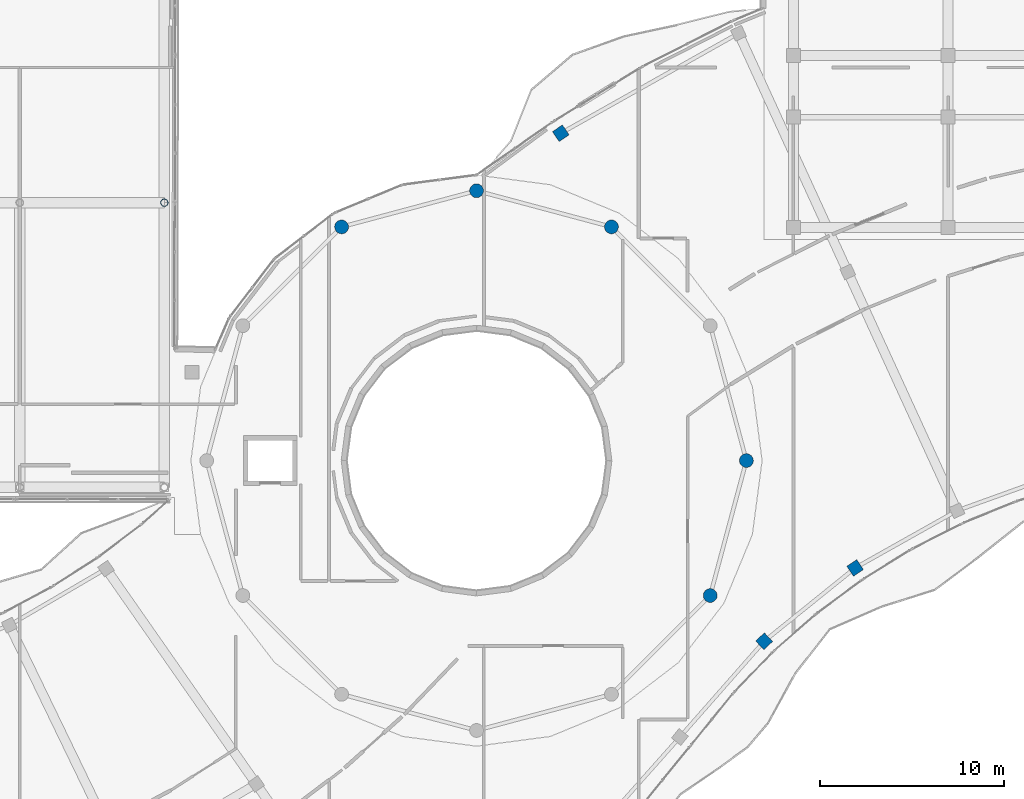
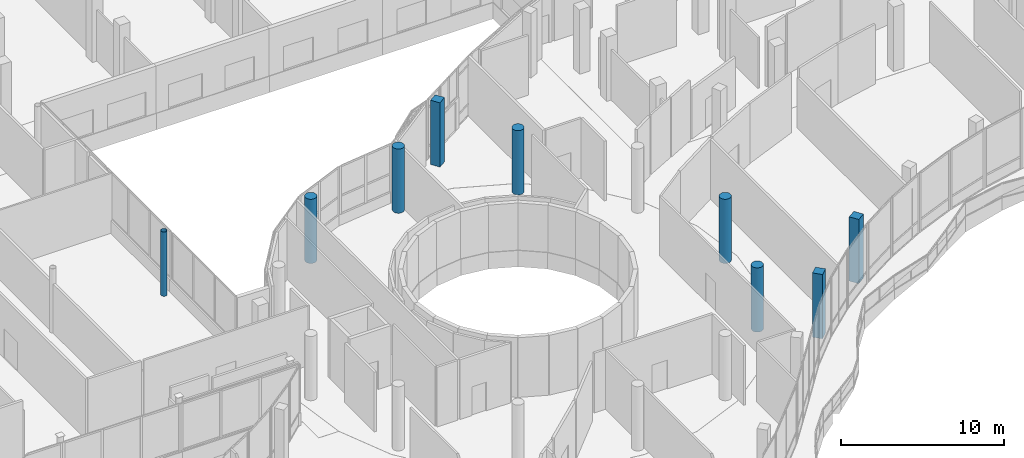
# One storey, part 5 of 155: 9 columns.
"""IFC4 building model written with IfcOpenShell, lengths in metres."""

from ifc_helpers import new_model, si_unit, direction, frame, origin, origin_2d, place, context, subcontext, project, spatial, rectangle, circle, hollow_circle, extrude, material, material_profile, profile_set, type_object, element, save


model = new_model("IFC4")

# Units and contexts
model_context = context("Model", 3, precision=1e-05, world=origin(), true_north=direction((0.0, 1.0)))
body_context = subcontext(model_context, "Body", "Model", "MODEL_VIEW")
ifc_project = project(units=[si_unit("LENGTHUNIT", "METRE"), si_unit("AREAUNIT", "SQUARE_METRE"), si_unit("VOLUMEUNIT", "CUBIC_METRE"), si_unit("PLANEANGLEUNIT", "RADIAN"), si_unit("MASSUNIT", "GRAM", prefix="KILO")], contexts=[model_context])

# Site, building, storey
site_placement = place(None, origin())
site = spatial("IfcSite", under=ifc_project, at=site_placement, CompositionType="ELEMENT")
building_placement = place(site_placement, origin())
building = spatial("IfcBuilding", under=site, at=building_placement, Name="Selatvlak General Hospital", CompositionType="ELEMENT")
storey_placement = place(building_placement, frame((0.0, 0.0, 10.199951171875)))
storey = spatial("IfcBuildingStorey", under=building, at=storey_placement, Name="L02", CompositionType="ELEMENT", Elevation=10.199951171875)

# Columns
ifc_material_1 = material(Name="Steel S355", Category="steel")
ifc_material_profile_1 = material_profile(ifc_material_1, hollow_circle(Radius=0.203125, WallThickness=0.01611328125, at=origin_2d()), Name="CHS 406.4x16")
ifc_profile_set_1 = profile_set([ifc_material_profile_1], Name="Steel S355")
column_type_1 = type_object("IfcColumnType", Name="COL-CHS406", PredefinedType="COLUMN", material=ifc_profile_set_1)
column_placement = place(storey_placement, frame((81.050048828125, 68.0, 0.0), z_axis=(0.0, 0.0, 1.0), x_axis=(1.0, 0.0, 0.0)))
element("IfcColumn", 1, at=column_placement, inside=storey, type_object=column_type_1, Name="Column 023 on L02", PredefinedType="COLUMN", context=body_context, shape_type="SweptSolid", body=[
    extrude(hollow_circle(Radius=0.203125, WallThickness=0.01611328125, at=origin_2d()), origin(), (0.0, 0.0, 1.0), 4.800048828125),
])
ifc_material_2 = material(Name="Concrete C40/50", Category="concrete")
ifc_material_profile_2 = material_profile(ifc_material_2, rectangle(XDim=0.64990234375, YDim=0.64990234375, at=origin_2d()), Name="RC-COL 650x650")
ifc_profile_set_2 = profile_set([ifc_material_profile_2], Name="Concrete C40/50")
column_type_2 = type_object("IfcColumnType", Name="COL-RC65", PredefinedType="COLUMN", material=ifc_profile_set_2)
for number, where, z_axis, x_axis, name in (
    (2, (113.614990234375, 44.19189453125, 0.0), (0.0, 0.0, 1.0), (-0.689872285383, 0.723931094691, 0.0), "Column 339 on L02"),
    (3, (102.572998046875, 71.77001953125, 0.0), (0.0, 0.0, 1.0), (-0.560725705765, 0.828001620104, 0.0), "Column 340 on L02"),
    (4, (118.552978515625, 48.172119140625, 0.0), (0.0, 0.0, 1.0), (-0.560725705765, 0.828001620104, 0.0), "Column 341 on L02"),
):
    element("IfcColumn", number, at=place(storey_placement, frame(where, z_axis=z_axis, x_axis=x_axis)), inside=storey, type_object=column_type_2, Name=name, PredefinedType="COLUMN", context=body_context, shape_type="SweptSolid", body=[
        extrude(rectangle(XDim=0.64990234375, YDim=0.64990234375, at=origin_2d()), origin(), (0.0, 0.0, 1.0), 4.800048828125),
    ])
ifc_material_3 = material(Name="Concrete C50/60", Category="concrete")
ifc_material_profile_3 = material_profile(ifc_material_3, circle(Radius=0.375, at=origin_2d()), Name="RC-COL D750")
ifc_profile_set_3 = profile_set([ifc_material_profile_3], Name="Concrete C50/60")
column_type_3 = type_object("IfcColumnType", Name="COL-RCD75", PredefinedType="COLUMN", material=ifc_profile_set_3)
for number, where, z_axis, x_axis, name in (
    (5, (112.64990234375, 54.0, 0.0), (0.0, 0.0, 1.0), (1.0, 0.0, 0.0), "Column 025 on L02"),
    (6, (105.324951171875, 66.68701171875, 0.0), (0.0, 0.0, 1.0), (0.5, 0.866025403784, 0.0), "Column 027 on L02"),
    (7, (98.0, 68.64990234375, 0.0), (0.0, 0.0, 1.0), (0.0, 1.0, 0.0), "Column 028 on L02"),
    (8, (90.675048828125, 66.68701171875, 0.0), (0.0, 0.0, 1.0), (-0.5, 0.866025403784, 0.0), "Column 029 on L02"),
    (9, (110.68701171875, 46.675048828125, 0.0), (0.0, 0.0, 1.0), (0.866025403784, -0.5, 0.0), "Column 036 on L02"),
):
    element("IfcColumn", number, at=place(storey_placement, frame(where, z_axis=z_axis, x_axis=x_axis)), inside=storey, type_object=column_type_3, Name=name, PredefinedType="COLUMN", context=body_context, shape_type="SweptSolid", body=[
        extrude(circle(Radius=0.375, at=origin_2d()), origin(), (0.0, 0.0, 1.0), 4.800048828125),
    ])

save(model, "model.ifc")
